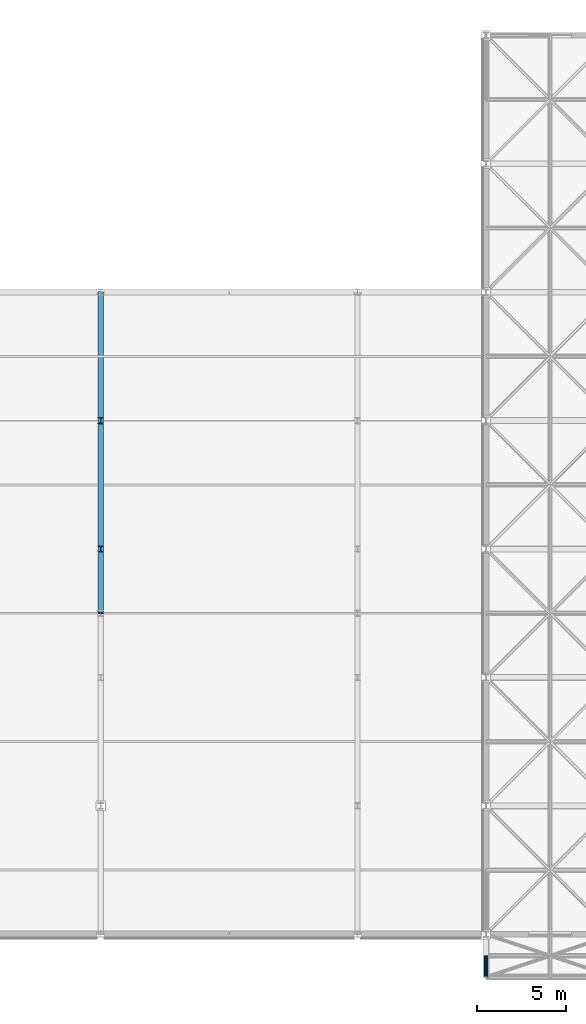
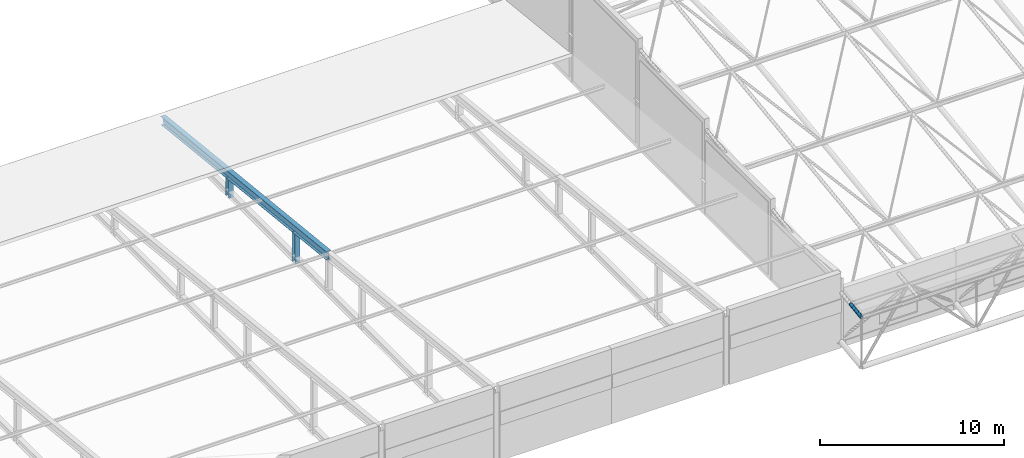
# One storey, part 28 of 103: 4 members.
"""IFC4 building model written with IfcOpenShell, lengths in metres."""

from ifc_helpers import new_model, si_unit, direction, frame, origin, origin_2d, place, context, subcontext, project, spatial, hollow_circle, i_section, extrude, material, material_profile, profile_set, type_object, element, save


model = new_model("IFC4")

# Units and contexts
model_context = context("Model", 3, precision=1e-05, world=origin(), true_north=direction((0.0, 1.0)))
body_context = subcontext(model_context, "Body", "Model", "MODEL_VIEW")
ifc_project = project(units=[si_unit("LENGTHUNIT", "METRE"), si_unit("AREAUNIT", "SQUARE_METRE"), si_unit("VOLUMEUNIT", "CUBIC_METRE"), si_unit("PLANEANGLEUNIT", "RADIAN"), si_unit("MASSUNIT", "GRAM", prefix="KILO")], contexts=[model_context])

# Site, building, storey
site_placement = place(None, origin())
site = spatial("IfcSite", under=ifc_project, at=site_placement, CompositionType="ELEMENT")
building_placement = place(site_placement, origin())
building = spatial("IfcBuilding", under=site, at=building_placement, Name="Thalmaran Polytechnic", CompositionType="ELEMENT")
storey_placement = place(building_placement, frame((0.0, 0.0, 14.39990234375)))
storey = spatial("IfcBuildingStorey", under=building, at=storey_placement, Name="L03", CompositionType="ELEMENT", Elevation=14.39990234375)

# Members
ifc_material = material(Name="Steel S355", Category="steel")
ifc_material_profile_1 = material_profile(ifc_material, i_section(OverallWidth=0.300048828125, OverallDepth=0.550048828125, WebThickness=0.014892578125, FlangeThickness=0.029052734375, at=origin_2d()), Name="HEB 550")
ifc_profile_set_1 = profile_set([ifc_material_profile_1], Name="Steel S355")
member_type_1 = type_object("IfcMemberType", Name="MB-RAF1", PredefinedType="RAFTER", material=ifc_profile_set_1)
member_1_placement = place(storey_placement, frame((86.39990234375, 18.0, 2.625), z_axis=(0.0, 0.994331173595, -0.10632740577), x_axis=(-1.0, 0.0, 0.0)))
element("IfcMember", 1, at=member_1_placement, inside=storey, type_object=member_type_1, Name="Lecture Raked Roof Rafter North G12", PredefinedType="RAFTER", context=body_context, shape_type="SweptSolid", body=[
    extrude(i_section(OverallWidth=0.300048828125, OverallDepth=0.550048828125, WebThickness=0.014892578125, FlangeThickness=0.029052734375, at=origin_2d()), origin(), (0.0, 0.0, 1.0), 18.1025390625),
])
ifc_material_profile_2 = material_profile(ifc_material, hollow_circle(Radius=0.109619140625, WallThickness=0.010009765625, at=origin_2d()), Name="CHS 219.1x10.0")
ifc_profile_set_2 = profile_set([ifc_material_profile_2], Name="Steel S355")
member_type_2 = type_object("IfcMemberType", Name="MB-SFC2", PredefinedType="CHORD", material=ifc_profile_set_2)
member_2_placement = place(storey_placement, frame((108.0, -2.39990234375, 3.334228515625), z_axis=(0.0, 0.99144674145, 0.130511910828), x_axis=(-1.0, 0.0, 0.0)))
element("IfcMember", 2, at=member_2_placement, inside=storey, type_object=member_type_2, Name="Space-Frame Top Chord Y (0,0)", PredefinedType="CHORD", context=body_context, shape_type="SweptSolid", body=[
    extrude(hollow_circle(Radius=0.109619140625, WallThickness=0.010009765625, at=origin_2d()), origin(), (0.0, 0.0, 1.0), 1.210205078125),
])
ifc_material_profile_3 = material_profile(ifc_material, i_section(OverallWidth=0.300048828125, OverallDepth=0.330078125, WebThickness=0.009521484375, FlangeThickness=0.0166015625, at=origin_2d()), Name="HEA 340")
ifc_profile_set_3 = profile_set([ifc_material_profile_3], Name="Steel S355")
member_type_3 = type_object("IfcMemberType", Name="MB-TRS1", PredefinedType="STRUT", material=ifc_profile_set_3)
member_3_placement = place(storey_placement, frame((86.39990234375, 21.60009765625, 0.0), z_axis=(0.0, 0.0, 1.0), x_axis=(1.0, 0.0, 0.0)))
element("IfcMember", 3, at=member_3_placement, inside=storey, type_object=member_type_3, Name="Lecture Truss Web Strut G12-21", PredefinedType="STRUT", context=body_context, shape_type="SweptSolid", body=[
    extrude(i_section(OverallWidth=0.300048828125, OverallDepth=0.330078125, WebThickness=0.009521484375, FlangeThickness=0.0166015625, at=origin_2d()), origin(), (0.0, 0.0, 1.0), 1.989990234375),
])
member_4_placement = place(storey_placement, frame((86.39990234375, 28.800048828125, 0.0), z_axis=(0.0, 0.0, 1.0), x_axis=(1.0, 0.0, 0.0)))
element("IfcMember", 4, at=member_4_placement, inside=storey, type_object=member_type_3, Name="Lecture Truss Web Strut G12-28", PredefinedType="STRUT", context=body_context, shape_type="SweptSolid", body=[
    extrude(i_section(OverallWidth=0.300048828125, OverallDepth=0.330078125, WebThickness=0.009521484375, FlangeThickness=0.0166015625, at=origin_2d()), origin(), (0.0, 0.0, 1.0), 1.22021484375),
])

save(model, "model.ifc")
